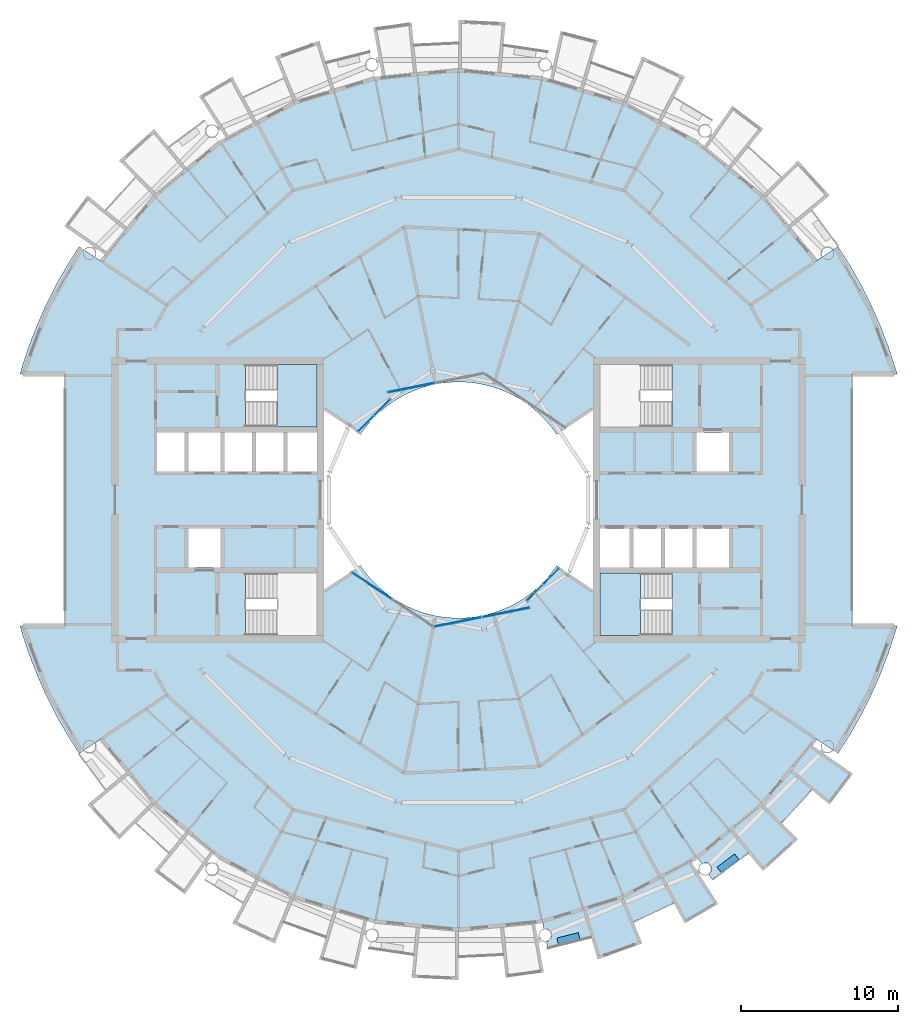
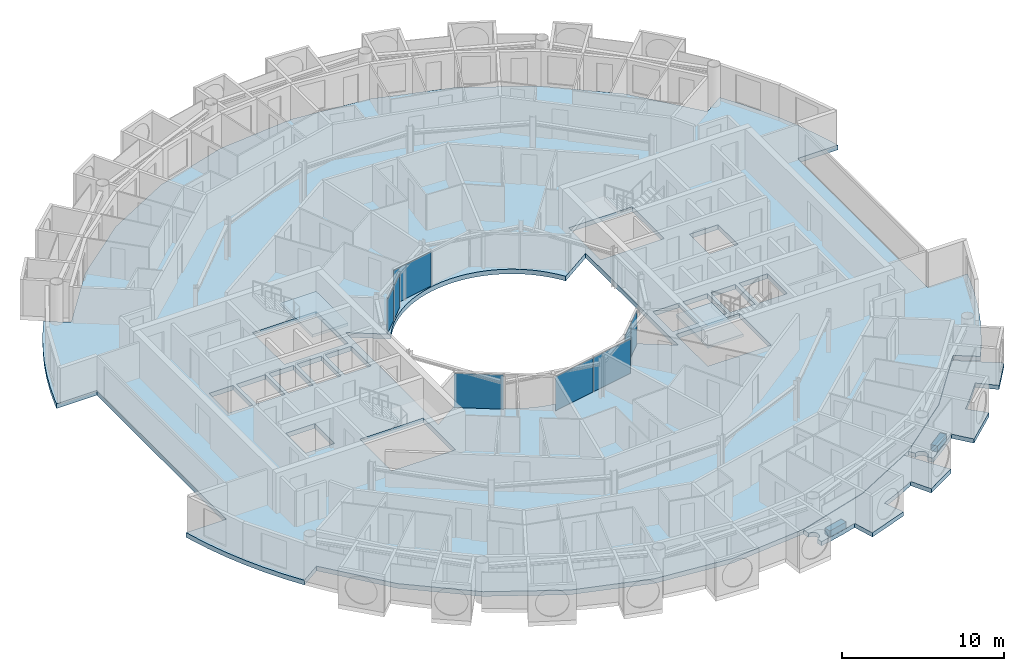
# One storey, part 12 of 29: 8 plates, 7 slabs, 7 elements without a shape of their own.
"""IFC4 building model written with IfcOpenShell, lengths in metres."""

import ifcopenshell
import ifcopenshell.guid

model = None  # the IFC model being written
_history = None  # IfcOwnerHistory: only IFC2X3 demands one
_inside = {}  # id of a spatial element -> (the spatial element, [elements in it])
_under = {}  # id of a project, library or spatial element -> (it, [spatial elements below it])
_declared = {}  # id of a project -> (the project, [libraries it declares])
_typed = {}  # id of a type object -> (the type object, [elements of that type])
_made_of = {}  # id of a material, layer set ... -> (it, [elements and type objects made of it])


def new_model(schema):
    """Start an empty IFC model of exactly this schema.

    Asked for "IFC4X3", IfcOpenShell would pick the latest addendum, in which some entities
    have other attributes; the version numbers below select the first issue.
    IFC2X3 requires an IfcOwnerHistory on every rooted entity: one is made here for all.
    """
    global model, _history
    if schema == "IFC4X3":
        model = ifcopenshell.file(schema_version=(4, 3, 0, 0))
    else:
        model = ifcopenshell.file(schema=schema)
    _inside.clear()
    _under.clear()
    _declared.clear()
    _typed.clear()
    _made_of.clear()
    _history = None
    if model.schema == "IFC2X3":
        org = make("IfcOrganization", Name="unknown")
        user = make(
            "IfcPersonAndOrganization",
            ThePerson=make("IfcPerson", FamilyName="unknown"),
            TheOrganization=org,
        )
        app = make(
            "IfcApplication",
            ApplicationDeveloper=org,
            Version="unknown",
            ApplicationFullName="unknown",
            ApplicationIdentifier="unknown",
        )
        _history = make(
            "IfcOwnerHistory",
            OwningUser=user,
            OwningApplication=app,
            ChangeAction="ADDED",
            CreationDate=0,
        )
    return model


def make(cls, **values):
    """One entity of the class cls with the attributes given. An attribute that is None is left unset."""
    return model.create_entity(
        cls, **{name: value for name, value in values.items() if value is not None}
    )


def rooted(cls, **values):
    """An entity with a GlobalId (a new one), such as an element, a storey or a relation."""
    return make(cls, GlobalId=ifcopenshell.guid.new(), OwnerHistory=_history, **values)


def si_unit(unit_type, name, prefix=None):
    """IfcSIUnit, for example si_unit("LENGTHUNIT", "METRE", prefix="MILLI")."""
    return make("IfcSIUnit", UnitType=unit_type, Prefix=prefix, Name=name)


def assignment(units):
    """IfcUnitAssignment: the units of a project."""
    return None if units is None else make("IfcUnitAssignment", Units=units)


def point(xyz):
    """IfcCartesianPoint."""
    return None if xyz is None else make("IfcCartesianPoint", Coordinates=xyz)


def direction(xyz):
    """IfcDirection."""
    return None if xyz is None else make("IfcDirection", DirectionRatios=xyz)


def frame(location, z_axis=None, x_axis=None):
    """IfcAxis2Placement3D, a coordinate frame: its origin and axes. An axis left out is left unset."""
    return make(
        "IfcAxis2Placement3D",
        Location=point(location),
        Axis=direction(z_axis),
        RefDirection=direction(x_axis),
    )


def frame_2d(location, x_axis=None):
    """IfcAxis2Placement2D, a coordinate frame in the plane: its origin and x axis."""
    return make(
        "IfcAxis2Placement2D", Location=point(location), RefDirection=direction(x_axis)
    )


def origin():
    """The frame at (0, 0, 0) with its axes left unset."""
    return frame((0.0, 0.0, 0.0))


def origin_2d():
    """The frame at (0, 0) in the plane with its x axis left unset."""
    return frame_2d((0.0, 0.0))


def place(relative_to, where):
    """IfcLocalPlacement: puts the frame where relative to a parent placement (None: the world)."""
    return make(
        "IfcLocalPlacement", PlacementRelTo=relative_to, RelativePlacement=where
    )


def context(
    kind, dimensions, precision=None, world=None, true_north=None, identifier=None
):
    """IfcGeometricRepresentationContext, for example the 3D "Model" context."""
    return make(
        "IfcGeometricRepresentationContext",
        ContextIdentifier=identifier,
        ContextType=kind,
        CoordinateSpaceDimension=dimensions,
        Precision=precision,
        WorldCoordinateSystem=world,
        TrueNorth=true_north,
    )


def subcontext(parent, identifier, kind, view, scale=None):
    """IfcGeometricRepresentationSubContext, for example "Body" below "Model"."""
    return make(
        "IfcGeometricRepresentationSubContext",
        ContextIdentifier=identifier,
        ContextType=kind,
        ParentContext=parent,
        TargetScale=scale,
        TargetView=view,
    )


def project(units=None, contexts=None):
    """IfcProject with its units and contexts."""
    return rooted(
        "IfcProject",
        Name="project",
        RepresentationContexts=contexts,
        UnitsInContext=assignment(units),
    )


def spatial(cls, under=None, at=None, **own):
    """A site, building, storey or space (cls), placed at a placement, below another one or the project."""
    s = rooted(cls, ObjectPlacement=at, **own)
    if under is not None:
        _under.setdefault(under.id(), (under, []))[1].append(s)
    return s


def polyline(points):
    """IfcPolyline through the points."""
    return make("IfcPolyline", Points=[point(p) for p in points])


def profile(cls, at=None, kind="AREA", **sizes):
    """A parametric profile (cls). Its sizes go by their IFC names, for example OverallWidth=200.0."""
    return make(cls, ProfileType=kind, Position=at, **sizes)


def rectangle(**sizes):
    """IfcRectangleProfileDef."""
    return profile("IfcRectangleProfileDef", **sizes)


def outline(outer, holes=None, kind="AREA"):
    """IfcArbitraryClosedProfileDef: a profile drawn as a closed curve; with holes, ...WithVoids."""
    if holes is None:
        return make("IfcArbitraryClosedProfileDef", ProfileType=kind, OuterCurve=outer)
    return make(
        "IfcArbitraryProfileDefWithVoids",
        ProfileType=kind,
        OuterCurve=outer,
        InnerCurves=holes,
    )


def extrude(swept, where, along, depth):
    """IfcExtrudedAreaSolid: the profile swept, set in the frame where, extruded along a direction by depth."""
    return make(
        "IfcExtrudedAreaSolid",
        SweptArea=swept,
        Position=where,
        ExtrudedDirection=direction(along),
        Depth=depth,
    )


def shape(context_of_items, identifier, shape_type, items):
    """IfcShapeRepresentation: the items that make up one representation, for example the "Body"."""
    return make(
        "IfcShapeRepresentation",
        ContextOfItems=context_of_items,
        RepresentationIdentifier=identifier,
        RepresentationType=shape_type,
        Items=items,
    )


def material(Name=None, Category=None):
    """IfcMaterial."""
    return make("IfcMaterial", Name=Name, Category=Category)


def layer(
    of_material, thickness, ventilated=None, Name=None, Category=None, Priority=None
):
    """IfcMaterialLayer: one layer of a wall or slab, of a material (None: an air gap)."""
    return make(
        "IfcMaterialLayer",
        Material=of_material,
        LayerThickness=thickness,
        IsVentilated=ventilated,
        Name=Name,
        Category=Category,
        Priority=Priority,
    )


def layer_set(layers, Name=None):
    """IfcMaterialLayerSet."""
    return make("IfcMaterialLayerSet", MaterialLayers=layers, LayerSetName=Name)


def made_of(thing, what):
    """Note that an element or type object is made of a material, layer set ...; save() writes the relation."""
    if what is not None:
        _made_of.setdefault(what.id(), (what, []))[1].append(thing)
    return thing


def type_object(cls, material=None, **own):
    """A type object (cls), such as IfcWallType, which elements share."""
    return made_of(rooted(cls, **own), material)


def element(
    cls,
    number,
    at=None,
    inside=None,
    cuts=None,
    type_object=None,
    material=None,
    context=None,
    identifier="Body",
    shape_type=None,
    held_by="IfcProductDefinitionShape",
    body=None,
    shapes=None,
    **own,
):
    """One element of the class cls, such as IfcWall. Its Tag is "e" and its number.

    at: its placement. inside: the storey or other place that contains it. cuts: it is an
    opening in that element (IfcRelVoidsElement). A single representation is given by context,
    identifier, shape_type and body (its items); several are given by shapes. held_by: the class
    of the entity that holds the representations. save() writes the other relations.
    """
    e = rooted(cls, Tag="e%d" % number, ObjectPlacement=at, **own)
    if body is not None:
        shapes = [shape(context, identifier, shape_type, body)]
    if shapes is not None:
        e.Representation = make(held_by, Representations=shapes)
    if inside is not None:
        _inside.setdefault(inside.id(), (inside, []))[1].append(e)
    if cuts is not None:
        rooted(
            "IfcRelVoidsElement", RelatingBuildingElement=cuts, RelatedOpeningElement=e
        )
    if type_object is not None:
        _typed.setdefault(type_object.id(), (type_object, []))[1].append(e)
    return made_of(e, material)


def aggregate(whole, parts):
    """IfcRelAggregates: a whole, such as a stair, and the parts it consists of."""
    return rooted("IfcRelAggregates", RelatingObject=whole, RelatedObjects=parts)


def save(model, path):
    """Write the relations noted so far, then the file.

    IfcRelAggregates (storeys below a building ...), IfcRelContainedInSpatialStructure (elements
    in a storey), IfcRelDefinesByType, IfcRelAssociatesMaterial and IfcRelDeclares: one each for
    every whole, place, type object, material and project.
    """
    for whole, parts in _under.values():
        aggregate(whole, parts)
    for where, things in _inside.values():
        rooted(
            "IfcRelContainedInSpatialStructure",
            RelatedElements=things,
            RelatingStructure=where,
        )
    for kind, things in _typed.values():
        rooted("IfcRelDefinesByType", RelatedObjects=things, RelatingType=kind)
    for what, things in _made_of.values():
        rooted("IfcRelAssociatesMaterial", RelatedObjects=things, RelatingMaterial=what)
    for by, libraries in _declared.values():
        rooted("IfcRelDeclares", RelatingContext=by, RelatedDefinitions=libraries)
    model.write(path)


model = new_model("IFC4")

# Units and contexts
model_context = context("Model", 3, precision=1e-05, world=origin(), true_north=direction((0.0, 1.0)))
body_context = subcontext(model_context, "Body", "Model", "MODEL_VIEW")
ifc_project = project(units=[si_unit("LENGTHUNIT", "METRE"), si_unit("AREAUNIT", "SQUARE_METRE"), si_unit("VOLUMEUNIT", "CUBIC_METRE"), si_unit("PLANEANGLEUNIT", "RADIAN"), si_unit("MASSUNIT", "GRAM", prefix="KILO")], contexts=[model_context])

# Site, building, storey
site_placement = place(None, origin())
site = spatial("IfcSite", under=ifc_project, at=site_placement, CompositionType="ELEMENT")
building_placement = place(site_placement, origin())
building = spatial("IfcBuilding", under=site, at=building_placement, Name="Maasbend Ring Residences", CompositionType="ELEMENT")
storey_placement = place(building_placement, frame((0.0, 0.0, 190.199951171875)))
storey = spatial("IfcBuildingStorey", under=building, at=storey_placement, Name="L54", CompositionType="ELEMENT", Elevation=190.199951171875)

# Stair, slab
ifc_material_1 = material(Name="Concrete C40/50", Category="concrete")
stair_type = type_object("IfcStairType", Name="CORE STAIR 18 RISERS", PredefinedType="HALF_TURN_STAIR", material=ifc_material_1)
stair_1_placement = place(storey_placement, origin())
stair_1 = element("IfcStair", 1, at=stair_1_placement, inside=storey, type_object=stair_type, Name="L54 Exit stair ST-E2", PredefinedType="HALF_TURN_STAIR")
ifc_material_2 = material(Name="Concrete C40/50", Category="concrete")
ifc_layer_1 = layer(ifc_material_2, 0.199951171875)
ifc_layer_set_1 = layer_set([ifc_layer_1], Name="Concrete C40/50")
slab_type_1 = type_object("IfcSlabType", Name="CORE STAIR LANDING 200", PredefinedType="LANDING", material=ifc_layer_set_1)
slab_1_placement = place(storey_placement, frame((0.0, 0.0, 1.324951171875)))
slab_1 = element("IfcSlab", 2, at=slab_1_placement, type_object=slab_type_1, Name="ST-E2 landing 1", PredefinedType="LANDING", context=body_context, shape_type="SweptSolid", body=[
    extrude(outline(polyline([(11.550048828125, -4.64990234375), (9.0, -4.64990234375), (9.0, -8.60009765625), (11.550048828125, -8.60009765625), (11.550048828125, -4.64990234375)])), origin(), (0.0, 0.0, 1.0), 0.2001953125),
])
aggregate(stair_1, [slab_1])

stair_2_placement = place(storey_placement, origin())
stair_2 = element("IfcStair", 3, at=stair_2_placement, inside=storey, type_object=stair_type, Name="L54 Exit stair ST-W2", PredefinedType="HALF_TURN_STAIR")
slab_2_placement = place(storey_placement, frame((0.0, 0.0, 1.324951171875)))
slab_2 = element("IfcSlab", 4, at=slab_2_placement, type_object=slab_type_1, Name="ST-W2 landing 1", PredefinedType="LANDING", context=body_context, shape_type="SweptSolid", body=[
    extrude(outline(polyline([(-11.550048828125, 4.64990234375), (-9.0, 4.64990234375), (-9.0, 8.60009765625), (-11.550048828125, 8.60009765625), (-11.550048828125, 4.64990234375)])), origin(), (0.0, 0.0, 1.0), 0.2001953125),
])
aggregate(stair_2, [slab_2])

# Curtain wall, plate
ifc_material_3 = material(Name="Aluminium and clear glass", Category="aluminium")
ifc_layer_2 = layer(ifc_material_3, 0.179931640625)
ifc_layer_set_2 = layer_set([ifc_layer_2], Name="CW-W")
curtain_wall_type = type_object("IfcCurtainWallType", Name="CW-W", PredefinedType="NOTDEFINED", material=ifc_layer_set_2)
curtain_wall_1_placement = place(storey_placement, origin())
curtain_wall_1 = element("IfcCurtainWall", 5, at=curtain_wall_1_placement, inside=storey, type_object=curtain_wall_type, Name="Well curtain wall N2", PredefinedType="NOTDEFINED")
ifc_material_4 = material(Name="Glass clear laminated", Category="glass")
ifc_layer_3 = layer(ifc_material_4, 0.031982421875)
ifc_layer_set_3 = layer_set([ifc_layer_3], Name="CWP-W")
plate_type = type_object("IfcPlateType", Name="CWP-W", PredefinedType="CURTAIN_PANEL", material=ifc_layer_set_3)
plate_1_placement = place(storey_placement, frame((-3.0078125, 7.140380859375, 0.0), z_axis=(0.0, 0.0, 1.0), x_axis=(-0.980785280403, -0.195090322016, 0.0)))
plate_1 = element("IfcPlate", 6, at=plate_1_placement, type_object=plate_type, Name="Glass panel well face", PredefinedType="CURTAIN_PANEL", context=body_context, shape_type="SweptSolid", body=[
    extrude(rectangle(XDim=3.053955078125, YDim=0.031982421875, at=origin_2d()), origin(), (0.0, 0.0, 1.0), 2.580078125),
])
aggregate(curtain_wall_1, [plate_1])

# Curtain wall, plates
curtain_wall_2_placement = place(storey_placement, origin())
curtain_wall_2 = element("IfcCurtainWall", 7, at=curtain_wall_2_placement, inside=storey, type_object=curtain_wall_type, Name="Well curtain wall N3", PredefinedType="NOTDEFINED")
plate_2_placement = place(storey_placement, frame((-4.84375, 5.89013671875, 0.0), z_axis=(0.0, 0.0, 1.0), x_axis=(-0.707106781187, -0.707106781187, 0.0)))
plate_2 = element("IfcPlate", 8, at=plate_2_placement, type_object=plate_type, Name="Glass panel well face", PredefinedType="CURTAIN_PANEL", context=body_context, shape_type="SweptSolid", body=[
    extrude(rectangle(XDim=1.419677734375, YDim=0.031982421875, at=origin_2d()), origin(), (0.0, 0.0, 1.0), 2.580078125),
])
plate_3_placement = place(storey_placement, frame((-5.89013671875, 4.84375, 0.0), z_axis=(0.0, 0.0, 1.0), x_axis=(-0.707106781187, -0.707106781187, 0.0)))
plate_3 = element("IfcPlate", 9, at=plate_3_placement, type_object=plate_type, Name="Glass panel well face", PredefinedType="CURTAIN_PANEL", context=body_context, shape_type="SweptSolid", body=[
    extrude(rectangle(XDim=1.419677734375, YDim=0.031982421875, at=origin_2d()), origin(), (0.0, 0.0, 1.0), 2.580078125),
])
aggregate(curtain_wall_2, [plate_2, plate_3])

# Curtain wall, plate
curtain_wall_3_placement = place(storey_placement, origin())
curtain_wall_3 = element("IfcCurtainWall", 10, at=curtain_wall_3_placement, inside=storey, type_object=curtain_wall_type, Name="Well curtain wall S1", PredefinedType="NOTDEFINED")
plate_4_placement = place(storey_placement, frame((-5.51123046875, -5.44580078125, 0.0), z_axis=(0.0, 0.0, 1.0), x_axis=(0.831469612303, -0.55557023302, 0.0)))
plate_4 = element("IfcPlate", 11, at=plate_4_placement, type_object=plate_type, Name="Glass panel well face", PredefinedType="CURTAIN_PANEL", context=body_context, shape_type="SweptSolid", body=[
    extrude(rectangle(XDim=3.053955078125, YDim=0.031982421875, at=origin_2d()), origin(), (0.0, 0.0, 1.0), 2.580078125),
])
aggregate(curtain_wall_3, [plate_4])

# Curtain wall, plates
curtain_wall_4_placement = place(storey_placement, origin())
curtain_wall_4 = element("IfcCurtainWall", 12, at=curtain_wall_4_placement, inside=storey, type_object=curtain_wall_type, Name="Well curtain wall S2", PredefinedType="NOTDEFINED")
plate_5_placement = place(storey_placement, frame((-0.04638671875, -7.747802734375, 0.0), z_axis=(0.0, 0.0, 1.0), x_axis=(0.980785280403, 0.195090322016, 0.0)))
plate_5 = element("IfcPlate", 13, at=plate_5_placement, type_object=plate_type, Name="Glass panel well face", PredefinedType="CURTAIN_PANEL", context=body_context, shape_type="SweptSolid", body=[
    extrude(rectangle(XDim=3.053955078125, YDim=0.031982421875, at=origin_2d()), origin(), (0.0, 0.0, 1.0), 2.580078125),
])
plate_6_placement = place(storey_placement, frame((3.0078125, -7.140380859375, 0.0), z_axis=(0.0, 0.0, 1.0), x_axis=(0.980785280403, 0.195090322016, 0.0)))
plate_6 = element("IfcPlate", 14, at=plate_6_placement, type_object=plate_type, Name="Glass panel well face", PredefinedType="CURTAIN_PANEL", context=body_context, shape_type="SweptSolid", body=[
    extrude(rectangle(XDim=3.053955078125, YDim=0.031982421875, at=origin_2d()), origin(), (0.0, 0.0, 1.0), 2.580078125),
])
aggregate(curtain_wall_4, [plate_5, plate_6])

curtain_wall_5_placement = place(storey_placement, origin())
curtain_wall_5 = element("IfcCurtainWall", 15, at=curtain_wall_5_placement, inside=storey, type_object=curtain_wall_type, Name="Well curtain wall S3", PredefinedType="NOTDEFINED")
plate_7_placement = place(storey_placement, frame((4.84375, -5.89013671875, 0.0), z_axis=(0.0, 0.0, 1.0), x_axis=(0.707106781187, 0.707106781187, 0.0)))
plate_7 = element("IfcPlate", 16, at=plate_7_placement, type_object=plate_type, Name="Glass panel well face", PredefinedType="CURTAIN_PANEL", context=body_context, shape_type="SweptSolid", body=[
    extrude(rectangle(XDim=1.419677734375, YDim=0.031982421875, at=origin_2d()), origin(), (0.0, 0.0, 1.0), 2.580078125),
])
plate_8_placement = place(storey_placement, frame((5.89013671875, -4.84375, 0.0), z_axis=(0.0, 0.0, 1.0), x_axis=(0.707106781187, 0.707106781187, 0.0)))
plate_8 = element("IfcPlate", 17, at=plate_8_placement, type_object=plate_type, Name="Glass panel well face", PredefinedType="CURTAIN_PANEL", context=body_context, shape_type="SweptSolid", body=[
    extrude(rectangle(XDim=1.419677734375, YDim=0.031982421875, at=origin_2d()), origin(), (0.0, 0.0, 1.0), 2.580078125),
])
aggregate(curtain_wall_5, [plate_7, plate_8])

# Slabs
ifc_material_5 = material(Name="Planting with climbing greenery")
ifc_layer_4 = layer(ifc_material_5, 0.449951171875)
ifc_layer_set_4 = layer_set([ifc_layer_4], Name="PLANTER-LG")
slab_type_2 = type_object("IfcSlabType", Name="PLANTER-LG", PredefinedType="USERDEFINED", material=ifc_layer_set_4)
slab_3_placement = place(storey_placement, frame((0.0, 0.0, -0.030029296875)))
element("IfcSlab", 18, at=slab_3_placement, inside=storey, type_object=slab_type_2, Name="Planter with climbing greenery 4", ObjectType="PLANTER", PredefinedType="USERDEFINED", context=body_context, shape_type="SweptSolid", body=[
    extrude(outline(polyline([(6.35888671875, -28.26708984375), (7.717041015625, -27.927001953125), (7.60791015625, -27.489990234375), (6.25, -27.8310546875), (6.35888671875, -28.26708984375)])), origin(), (0.0, 0.0, 1.0), 0.4501953125),
])
slab_4_placement = place(storey_placement, frame((0.0, 0.0, -0.030029296875)))
element("IfcSlab", 19, at=slab_4_placement, inside=storey, type_object=slab_type_2, Name="Planter with climbing greenery 5", ObjectType="PLANTER", PredefinedType="USERDEFINED", context=body_context, shape_type="SweptSolid", body=[
    extrude(outline(polyline([(16.69189453125, -23.681884765625), (17.81689453125, -22.847900390625), (17.549072265625, -22.487060546875), (16.424072265625, -23.321044921875), (16.69189453125, -23.681884765625)])), origin(), (0.0, 0.0, 1.0), 0.4501953125),
])
ifc_material_6 = material(Name="Concrete C40/50", Category="concrete")
ifc_layer_5 = layer(ifc_material_6, 0.35009765625)
ifc_layer_set_5 = layer_set([ifc_layer_5], Name="Concrete C40/50")
slab_type_3 = type_object("IfcSlabType", Name="Post-tensioned flat plate 350", PredefinedType="FLOOR", material=ifc_layer_set_5)
slab_5_placement = place(storey_placement, frame((0.0, 0.0, -0.349853515625)))
element("IfcSlab", 20, at=slab_5_placement, inside=storey, type_object=slab_type_3, Name="Floor slab L54", PredefinedType="FLOOR", context=body_context, shape_type="SweptSolid", body=[
    extrude(outline(polyline([(24.8740234375, -14.908935546875), (25.57568359375, -13.67041015625), (26.2158203125, -12.399169921875), (26.79248046875, -11.097900390625), (27.3046875, -9.769775390625), (27.751220703125, -8.418212890625), (27.866943359375, -8.0), (25.0, -8.0), (25.0, 8.0), (27.866943359375, 8.0), (27.751220703125, 8.418212890625), (27.3046875, 9.769775390625), (26.79248046875, 11.097900390625), (26.2158203125, 12.399169921875), (25.57568359375, 13.67041015625), (24.8740234375, 14.908935546875), (24.112548828125, 16.111572265625), (22.69921875, 15.1669921875), (19.303955078125, 19.303955078125), (15.1669921875, 22.69921875), (10.447265625, 25.221923828125), (5.325927734375, 26.775390625), (0.0, 27.300048828125), (-5.325927734375, 26.775390625), (-10.447265625, 25.221923828125), (-15.1669921875, 22.69921875), (-19.303955078125, 19.303955078125), (-22.69921875, 15.1669921875), (-24.112548828125, 16.111572265625), (-24.8740234375, 14.908935546875), (-25.57568359375, 13.67041015625), (-26.2158203125, 12.399169921875), (-26.79248046875, 11.097900390625), (-27.3046875, 9.769775390625), (-27.751220703125, 8.418212890625), (-27.866943359375, 8.0), (-25.0, 8.0), (-25.0, -8.0), (-27.866943359375, -8.0), (-27.751220703125, -8.418212890625), (-27.3046875, -9.769775390625), (-26.79248046875, -11.097900390625), (-26.2158203125, -12.399169921875), (-25.57568359375, -13.67041015625), (-24.8740234375, -14.908935546875), (-24.112548828125, -16.111572265625), (-22.69921875, -15.1669921875), (-19.303955078125, -19.303955078125), (-15.1669921875, -22.69921875), (-10.447265625, -25.221923828125), (-5.325927734375, -26.775390625), (0.0, -27.300048828125), (5.325927734375, -26.775390625), (10.447265625, -25.221923828125), (15.1669921875, -22.69921875), (19.303955078125, -19.303955078125), (22.69921875, -15.1669921875), (24.112548828125, -16.111572265625), (24.8740234375, -14.908935546875)]), holes=[polyline([(15.125, 1.824951171875), (15.125, 4.27490234375), (17.175048828125, 4.27490234375), (17.175048828125, 1.824951171875), (15.125, 1.824951171875)]), polyline([(15.125, -4.27490234375), (15.125, -1.824951171875), (17.175048828125, -1.824951171875), (17.175048828125, -4.27490234375), (15.125, -4.27490234375)]), polyline([(13.125, -4.27490234375), (13.125, -1.824951171875), (14.875, -1.824951171875), (14.875, -4.27490234375), (13.125, -4.27490234375)]), polyline([(13.550048828125, 8.60009765625), (13.550048828125, 4.64990234375), (9.0, 4.64990234375), (9.0, 8.60009765625), (13.550048828125, 8.60009765625)]), polyline([(13.550048828125, -4.64990234375), (13.550048828125, -8.60009765625), (9.0, -8.60009765625), (9.0, -4.64990234375), (13.550048828125, -4.64990234375)]), polyline([(11.125, -4.27490234375), (11.125, -1.824951171875), (12.875, -1.824951171875), (12.875, -4.27490234375), (11.125, -4.27490234375)]), polyline([(9.0, -4.27490234375), (9.0, -1.824951171875), (10.875, -1.824951171875), (10.875, -4.27490234375), (9.0, -4.27490234375)]), polyline([(6.024169921875, 4.4677734375), (6.236083984375, 4.166748046875), (8.550048828125, 5.712890625), (8.550048828125, -5.712890625), (6.236083984375, -4.166748046875), (6.024169921875, -4.4677734375), (5.797607421875, -4.7578125), (5.55712890625, -5.03662109375), (5.30322265625, -5.30322265625), (5.03662109375, -5.55712890625), (4.7578125, -5.797607421875), (4.4677734375, -6.024169921875), (4.166748046875, -6.236083984375), (3.855712890625, -6.43310546875), (3.535400390625, -6.614501953125), (3.206787109375, -6.77978515625), (2.8701171875, -6.92919921875), (2.526611328125, -7.0615234375), (2.177001953125, -7.177001953125), (1.822509765625, -7.275146484375), (1.463134765625, -7.35595703125), (1.1005859375, -7.418701171875), (0.735107421875, -7.4638671875), (0.367919921875, -7.490966796875), (0.0, -7.5), (-0.367919921875, -7.490966796875), (-0.735107421875, -7.4638671875), (-1.1005859375, -7.418701171875), (-1.463134765625, -7.35595703125), (-1.822509765625, -7.275146484375), (-2.177001953125, -7.177001953125), (-2.526611328125, -7.0615234375), (-2.8701171875, -6.92919921875), (-3.206787109375, -6.77978515625), (-3.535400390625, -6.614501953125), (-3.855712890625, -6.43310546875), (-4.166748046875, -6.236083984375), (-4.4677734375, -6.024169921875), (-4.7578125, -5.797607421875), (-5.03662109375, -5.55712890625), (-5.30322265625, -5.30322265625), (-5.55712890625, -5.03662109375), (-5.797607421875, -4.7578125), (-6.024169921875, -4.4677734375), (-6.236083984375, -4.166748046875), (-8.550048828125, -5.712890625), (-8.550048828125, 5.712890625), (-6.236083984375, 4.166748046875), (-6.024169921875, 4.4677734375), (-5.797607421875, 4.7578125), (-5.55712890625, 5.03662109375), (-5.30322265625, 5.30322265625), (-5.03662109375, 5.55712890625), (-4.7578125, 5.797607421875), (-4.4677734375, 6.024169921875), (-4.166748046875, 6.236083984375), (-3.855712890625, 6.43310546875), (-3.535400390625, 6.614501953125), (-3.206787109375, 6.77978515625), (-2.8701171875, 6.92919921875), (-2.526611328125, 7.0615234375), (-2.177001953125, 7.177001953125), (-1.822509765625, 7.275146484375), (-1.463134765625, 7.35595703125), (-1.1005859375, 7.418701171875), (-0.735107421875, 7.4638671875), (-0.367919921875, 7.490966796875), (0.0, 7.5), (0.367919921875, 7.490966796875), (0.735107421875, 7.4638671875), (1.1005859375, 7.418701171875), (1.463134765625, 7.35595703125), (1.822509765625, 7.275146484375), (2.177001953125, 7.177001953125), (2.526611328125, 7.0615234375), (2.8701171875, 6.92919921875), (3.206787109375, 6.77978515625), (3.535400390625, 6.614501953125), (3.855712890625, 6.43310546875), (4.166748046875, 6.236083984375), (4.4677734375, 6.024169921875), (4.7578125, 5.797607421875), (5.03662109375, 5.55712890625), (5.30322265625, 5.30322265625), (5.55712890625, 5.03662109375), (5.797607421875, 4.7578125), (6.024169921875, 4.4677734375)]), polyline([(-13.550048828125, 4.64990234375), (-13.550048828125, 8.60009765625), (-9.0, 8.60009765625), (-9.0, 4.64990234375), (-13.550048828125, 4.64990234375)]), polyline([(-9.0, -8.60009765625), (-13.550048828125, -8.60009765625), (-13.550048828125, -4.64990234375), (-9.0, -4.64990234375), (-9.0, -8.60009765625)]), polyline([(-9.0, 4.27490234375), (-9.0, 1.824951171875), (-10.875, 1.824951171875), (-10.875, 4.27490234375), (-9.0, 4.27490234375)]), polyline([(-11.125, 4.27490234375), (-11.125, 1.824951171875), (-12.875, 1.824951171875), (-12.875, 4.27490234375), (-11.125, 4.27490234375)]), polyline([(-13.125, 4.27490234375), (-13.125, 1.824951171875), (-14.875, 1.824951171875), (-14.875, 4.27490234375), (-13.125, 4.27490234375)]), polyline([(-15.125, 4.27490234375), (-15.125, 1.824951171875), (-17.175048828125, 1.824951171875), (-17.175048828125, 4.27490234375), (-15.125, 4.27490234375)]), polyline([(-15.125, -1.824951171875), (-15.125, -4.27490234375), (-17.175048828125, -4.27490234375), (-17.175048828125, -1.824951171875), (-15.125, -1.824951171875)]), polyline([(-17.425048828125, 4.27490234375), (-17.425048828125, 1.824951171875), (-19.14990234375, 1.824951171875), (-19.14990234375, 4.27490234375), (-17.425048828125, 4.27490234375)])]), origin(), (0.0, 0.0, 1.0), 0.349853515625),
])
ifc_material_7 = material(Name="Concrete C40/50", Category="concrete")
ifc_layer_6 = layer(ifc_material_7, 0.199951171875)
ifc_layer_set_6 = layer_set([ifc_layer_6], Name="Concrete C40/50")
slab_type_4 = type_object("IfcSlabType", Name="SL-LOGGIA", PredefinedType="FLOOR", material=ifc_layer_set_6)
slab_6_placement = place(storey_placement, frame((0.0, 0.0, -0.349853515625)))
element("IfcSlab", 21, at=slab_6_placement, inside=storey, type_object=slab_type_4, Name="Loggia floor 2", PredefinedType="FLOOR", context=body_context, shape_type="SweptSolid", body=[
    extrude(outline(polyline([(10.447021484375, -25.221923828125), (12.806884765625, -23.9609375), (14.73291015625, -22.930908203125), (14.73291015625, -22.930908203125), (14.73291015625, -22.930908203125), (16.487060546875, -25.659912109375), (16.487060546875, -25.659912109375), (16.487060546875, -25.659912109375), (14.3779296875, -26.89892578125), (14.3779296875, -26.89892578125), (14.3779296875, -26.89892578125), (13.6708984375, -25.575927734375), (13.6708984375, -25.575927734375), (13.6708984375, -25.575927734375), (13.6708984375, -25.575927734375), (13.6708984375, -25.575927734375), (13.6708984375, -25.575927734375), (13.6708984375, -25.575927734375), (13.669921875, -25.575927734375), (13.669921875, -25.575927734375), (13.669921875, -25.575927734375), (13.669921875, -25.575927734375), (13.669921875, -25.575927734375), (13.669921875, -25.575927734375), (13.669921875, -25.575927734375), (13.669921875, -25.575927734375), (13.669921875, -25.575927734375), (13.669921875, -25.575927734375), (12.825927734375, -26.009033203125), (12.825927734375, -26.009033203125), (11.968994140625, -26.4150390625), (11.968994140625, -26.4150390625), (11.097900390625, -26.7919921875), (11.097900390625, -26.7919921875), (11.097900390625, -26.7919921875), (11.097900390625, -26.7919921875), (11.097900390625, -26.7919921875), (11.097900390625, -26.7919921875), (11.097900390625, -26.7919921875), (11.097900390625, -26.79296875), (11.097900390625, -26.79296875), (11.097900390625, -26.79296875), (11.097900390625, -26.79296875), (11.097900390625, -26.79296875), (11.097900390625, -26.79296875), (11.097900390625, -26.79296875), (11.097900390625, -26.79296875), (11.097900390625, -26.79296875), (11.097900390625, -26.79296875), (11.672119140625, -28.177978515625), (11.672119140625, -28.177978515625), (11.672119140625, -28.177978515625), (8.85400390625, -29.18701171875), (8.85400390625, -29.18701171875), (8.85400390625, -29.18701171875), (8.41796875, -27.751953125), (8.41796875, -27.751953125), (8.41796875, -27.751953125), (8.41796875, -27.751953125), (8.41796875, -27.751953125), (8.41796875, -27.751953125), (8.41796875, -27.751953125), (8.41796875, -27.7509765625), (8.41796875, -27.7509765625), (8.41796875, -27.7509765625), (8.41796875, -27.7509765625), (8.41796875, -27.7509765625), (8.41796875, -27.7509765625), (8.41796875, -27.7509765625), (8.41796875, -27.7509765625), (8.41796875, -27.7509765625), (8.41796875, -27.7509765625), (7.506103515625, -28.011962890625), (7.506103515625, -28.011962890625), (6.5849609375, -28.241943359375), (6.5849609375, -28.241943359375), (5.657958984375, -28.443115234375), (5.657958984375, -28.443115234375), (5.657958984375, -28.443115234375), (5.5810546875, -28.056884765625), (5.591064453125, -28.054931640625), (5.60009765625, -28.052001953125), (5.610107421875, -28.050048828125), (5.6201171875, -28.047119140625), (5.62890625, -28.0439453125), (5.637939453125, -28.041015625), (5.64794921875, -28.037109375), (5.656982421875, -28.033935546875), (5.666015625, -28.030029296875), (5.675048828125, -28.02587890625), (5.68408203125, -28.02099609375), (5.693115234375, -28.01708984375), (5.701904296875, -28.011962890625), (5.7099609375, -28.007080078125), (5.718994140625, -28.001953125), (5.72705078125, -27.99609375), (5.736083984375, -27.989990234375), (5.743896484375, -27.985107421875), (5.751953125, -27.97900390625), (5.759033203125, -27.971923828125), (5.76708984375, -27.966064453125), (5.77392578125, -27.958984375), (5.781982421875, -27.952880859375), (5.7890625, -27.946044921875), (5.7958984375, -27.93798828125), (5.802978515625, -27.930908203125), (5.80908203125, -27.924072265625), (5.81591796875, -27.916015625), (5.822021484375, -27.907958984375), (5.827880859375, -27.89990234375), (5.833984375, -27.89208984375), (5.839111328125, -27.884033203125), (5.844970703125, -27.8759765625), (5.85009765625, -27.866943359375), (5.85498046875, -27.85791015625), (5.860107421875, -27.85009765625), (5.864990234375, -27.841064453125), (5.868896484375, -27.83203125), (5.873046875, -27.822998046875), (5.876953125, -27.81396484375), (5.881103515625, -27.803955078125), (5.884033203125, -27.794921875), (5.886962890625, -27.785888671875), (5.889892578125, -27.77587890625), (5.89306640625, -27.76708984375), (5.89599609375, -27.757080078125), (5.89794921875, -27.7470703125), (5.89990234375, -27.737060546875), (5.902099609375, -27.72802734375), (5.904052734375, -27.718017578125), (5.905029296875, -27.7080078125), (5.906005859375, -27.697998046875), (5.906982421875, -27.68798828125), (5.907958984375, -27.677978515625), (5.907958984375, -27.66796875), (5.907958984375, -27.657958984375), (5.907958984375, -27.64794921875), (5.907958984375, -27.637939453125), (5.906982421875, -27.6279296875), (5.906005859375, -27.617919921875), (5.905029296875, -27.60791015625), (5.904052734375, -27.597900390625), (5.902099609375, -27.589111328125), (5.89990234375, -27.5791015625), (5.89794921875, -27.569091796875), (5.89599609375, -27.55908203125), (5.89306640625, -27.550048828125), (5.889892578125, -27.5400390625), (5.886962890625, -27.531005859375), (5.884033203125, -27.52099609375), (5.881103515625, -27.511962890625), (5.876953125, -27.5029296875), (5.873046875, -27.492919921875), (5.868896484375, -27.48388671875), (5.864990234375, -27.47509765625), (5.860107421875, -27.466064453125), (5.85498046875, -27.4580078125), (5.85009765625, -27.448974609375), (5.844970703125, -27.44091796875), (5.839111328125, -27.431884765625), (5.833984375, -27.424072265625), (5.827880859375, -27.416015625), (5.822021484375, -27.407958984375), (5.81591796875, -27.39990234375), (5.80908203125, -27.39306640625), (5.802978515625, -27.385009765625), (5.7958984375, -27.3779296875), (5.7890625, -27.37109375), (5.781982421875, -27.364013671875), (5.77392578125, -27.35693359375), (5.76708984375, -27.35009765625), (5.759033203125, -27.343994140625), (5.751953125, -27.337890625), (5.743896484375, -27.33203125), (5.736083984375, -27.325927734375), (5.72705078125, -27.320068359375), (5.718994140625, -27.31494140625), (5.7099609375, -27.30908203125), (5.701904296875, -27.303955078125), (5.693115234375, -27.300048828125), (5.68408203125, -27.294921875), (5.675048828125, -27.291015625), (5.666015625, -27.285888671875), (5.656982421875, -27.282958984375), (5.64794921875, -27.279052734375), (5.637939453125, -27.27490234375), (5.62890625, -27.27197265625), (5.6201171875, -27.26904296875), (5.610107421875, -27.26611328125), (5.60009765625, -27.263916015625), (5.591064453125, -27.260986328125), (5.5810546875, -27.259033203125), (5.571044921875, -27.258056640625), (5.56103515625, -27.256103515625), (5.551025390625, -27.2548828125), (5.541015625, -27.25390625), (5.531005859375, -27.2529296875), (5.52099609375, -27.251953125), (5.510986328125, -27.251953125), (5.501953125, -27.251953125), (5.491943359375, -27.251953125), (5.48193359375, -27.251953125), (5.471923828125, -27.2529296875), (5.4619140625, -27.25390625), (5.451904296875, -27.2548828125), (5.44189453125, -27.256103515625), (5.431884765625, -27.258056640625), (5.422119140625, -27.259033203125), (5.325927734375, -26.77490234375), (5.325927734375, -26.77490234375), (5.325927734375, -26.77490234375), (7.886962890625, -25.9990234375), (10.447021484375, -25.221923828125), (10.447021484375, -25.221923828125), (10.447021484375, -25.221923828125)])), origin(), (0.0, 0.0, 1.0), 0.31982421875),
])
slab_7_placement = place(storey_placement, frame((0.0, 0.0, -0.349853515625)))
element("IfcSlab", 22, at=slab_7_placement, inside=storey, type_object=slab_type_4, Name="Loggia floor 5", PredefinedType="FLOOR", context=body_context, shape_type="SweptSolid", body=[
    extrude(outline(polyline([(19.303955078125, -19.303955078125), (21.001953125, -17.236083984375), (22.386962890625, -15.547119140625), (22.386962890625, -15.547119140625), (22.386962890625, -15.547119140625), (25.051025390625, -17.39794921875), (25.051025390625, -17.39794921875), (25.051025390625, -17.39794921875), (23.576904296875, -19.34912109375), (23.576904296875, -19.34912109375), (23.576904296875, -19.34912109375), (22.41796875, -18.39794921875), (22.41796875, -18.39794921875), (22.41796875, -18.39794921875), (22.41796875, -18.39794921875), (22.41796875, -18.39794921875), (22.4169921875, -18.39794921875), (22.4169921875, -18.39794921875), (22.4169921875, -18.39794921875), (22.4169921875, -18.39794921875), (22.4169921875, -18.39794921875), (22.4169921875, -18.39794921875), (22.4169921875, -18.39794921875), (22.4169921875, -18.39794921875), (22.4169921875, -18.39794921875), (22.4169921875, -18.39794921875), (22.4169921875, -18.39794921875), (22.4169921875, -18.39794921875), (21.802978515625, -19.12109375), (21.802978515625, -19.12109375), (21.166015625, -19.823974609375), (21.166015625, -19.823974609375), (20.506103515625, -20.506103515625), (20.506103515625, -20.506103515625), (20.506103515625, -20.506103515625), (20.506103515625, -20.506103515625), (20.506103515625, -20.506103515625), (20.506103515625, -20.506103515625), (20.506103515625, -20.506103515625), (20.506103515625, -20.506103515625), (20.506103515625, -20.506103515625), (20.506103515625, -20.506103515625), (20.506103515625, -20.506103515625), (20.506103515625, -20.506103515625), (20.506103515625, -20.506103515625), (20.506103515625, -20.506103515625), (20.506103515625, -20.506103515625), (20.506103515625, -20.506103515625), (20.506103515625, -20.506103515625), (21.56689453125, -21.56689453125), (21.56689453125, -21.56689453125), (21.56689453125, -21.56689453125), (19.34912109375, -23.576904296875), (19.34912109375, -23.576904296875), (19.34912109375, -23.576904296875), (18.39794921875, -22.41796875), (18.39794921875, -22.41796875), (18.39794921875, -22.41796875), (18.39794921875, -22.41796875), (18.39794921875, -22.41796875), (18.39794921875, -22.41796875), (18.39697265625, -22.41796875), (18.39697265625, -22.41796875), (18.39697265625, -22.41796875), (18.39697265625, -22.41796875), (18.39697265625, -22.41796875), (18.39697265625, -22.41796875), (18.39697265625, -22.41796875), (18.39697265625, -22.41796875), (18.39697265625, -22.41796875), (18.39697265625, -22.41796875), (18.39697265625, -22.41796875), (17.654052734375, -23.007080078125), (17.654052734375, -23.007080078125), (16.89208984375, -23.572998046875), (16.89208984375, -23.572998046875), (16.112060546875, -24.113037109375), (16.112060546875, -24.113037109375), (16.112060546875, -24.113037109375), (15.89306640625, -23.784912109375), (15.89306640625, -23.784912109375), (15.90087890625, -23.780029296875), (15.908935546875, -23.77392578125), (15.9169921875, -23.76806640625), (15.925048828125, -23.761962890625), (15.93310546875, -23.7548828125), (15.93994140625, -23.7490234375), (15.947021484375, -23.741943359375), (15.955078125, -23.735107421875), (15.9619140625, -23.72802734375), (15.968017578125, -23.719970703125), (15.97509765625, -23.712890625), (15.98095703125, -23.705078125), (15.988037109375, -23.697021484375), (15.993896484375, -23.68994140625), (15.9990234375, -23.680908203125), (16.0048828125, -23.673095703125), (16.010986328125, -23.6650390625), (16.01611328125, -23.656005859375), (16.02099609375, -23.64794921875), (16.02587890625, -23.638916015625), (16.030029296875, -23.6298828125), (16.034912109375, -23.62109375), (16.0390625, -23.612060546875), (16.04296875, -23.60302734375), (16.0458984375, -23.593994140625), (16.050048828125, -23.583984375), (16.052978515625, -23.574951171875), (16.055908203125, -23.56494140625), (16.05908203125, -23.555908203125), (16.06103515625, -23.5458984375), (16.06396484375, -23.535888671875), (16.06591796875, -23.527099609375), (16.068115234375, -23.51708984375), (16.069091796875, -23.507080078125), (16.071044921875, -23.4970703125), (16.072021484375, -23.487060546875), (16.072021484375, -23.47705078125), (16.072998046875, -23.467041015625), (16.072998046875, -23.45703125), (16.073974609375, -23.447021484375), (16.072998046875, -23.43701171875), (16.072998046875, -23.427001953125), (16.072021484375, -23.4169921875), (16.072021484375, -23.407958984375), (16.071044921875, -23.39794921875), (16.069091796875, -23.387939453125), (16.068115234375, -23.3779296875), (16.06591796875, -23.367919921875), (16.06396484375, -23.35791015625), (16.06103515625, -23.34912109375), (16.05908203125, -23.339111328125), (16.055908203125, -23.3291015625), (16.052978515625, -23.320068359375), (16.050048828125, -23.31005859375), (16.0458984375, -23.301025390625), (16.04296875, -23.2919921875), (16.0390625, -23.282958984375), (16.034912109375, -23.27392578125), (16.030029296875, -23.264892578125), (16.02587890625, -23.256103515625), (16.02099609375, -23.2470703125), (16.01611328125, -23.238037109375), (16.010986328125, -23.22998046875), (16.0048828125, -23.221923828125), (15.9990234375, -23.212890625), (15.993896484375, -23.205078125), (15.988037109375, -23.197021484375), (15.98095703125, -23.18994140625), (15.97509765625, -23.181884765625), (15.968017578125, -23.174072265625), (15.9619140625, -23.1669921875), (15.955078125, -23.159912109375), (15.947021484375, -23.153076171875), (15.93994140625, -23.14599609375), (15.93310546875, -23.139892578125), (15.925048828125, -23.133056640625), (15.9169921875, -23.126953125), (15.908935546875, -23.12109375), (15.90087890625, -23.114990234375), (15.89306640625, -23.10888671875), (15.885009765625, -23.10400390625), (15.8759765625, -23.09912109375), (15.866943359375, -23.093994140625), (15.85888671875, -23.089111328125), (15.85009765625, -23.083984375), (15.841064453125, -23.080078125), (15.83203125, -23.075927734375), (15.822998046875, -23.072021484375), (15.81298828125, -23.068115234375), (15.803955078125, -23.06494140625), (15.794921875, -23.06103515625), (15.784912109375, -23.05810546875), (15.77587890625, -23.055908203125), (15.76611328125, -23.052978515625), (15.756103515625, -23.051025390625), (15.74609375, -23.049072265625), (15.737060546875, -23.047119140625), (15.72705078125, -23.044921875), (15.717041015625, -23.0439453125), (15.70703125, -23.04296875), (15.697021484375, -23.0419921875), (15.68701171875, -23.041015625), (15.677001953125, -23.041015625), (15.6669921875, -23.041015625), (15.656982421875, -23.041015625), (15.64697265625, -23.041015625), (15.636962890625, -23.0419921875), (15.626953125, -23.04296875), (15.616943359375, -23.0439453125), (15.60693359375, -23.044921875), (15.597900390625, -23.047119140625), (15.587890625, -23.049072265625), (15.577880859375, -23.051025390625), (15.568115234375, -23.052978515625), (15.55908203125, -23.055908203125), (15.549072265625, -23.05810546875), (15.5400390625, -23.06103515625), (15.530029296875, -23.06494140625), (15.52099609375, -23.068115234375), (15.511962890625, -23.072021484375), (15.501953125, -23.075927734375), (15.492919921875, -23.080078125), (15.48388671875, -23.083984375), (15.47509765625, -23.089111328125), (15.467041015625, -23.093994140625), (15.4580078125, -23.09912109375), (15.449951171875, -23.10400390625), (15.44091796875, -23.10888671875), (15.44091796875, -23.10888671875), (15.1669921875, -22.698974609375), (15.1669921875, -22.698974609375), (15.1669921875, -22.698974609375), (17.236083984375, -21.001953125), (19.303955078125, -19.303955078125), (19.303955078125, -19.303955078125), (19.303955078125, -19.303955078125)])), origin(), (0.0, 0.0, 1.0), 0.31982421875),
])

save(model, "model.ifc")
